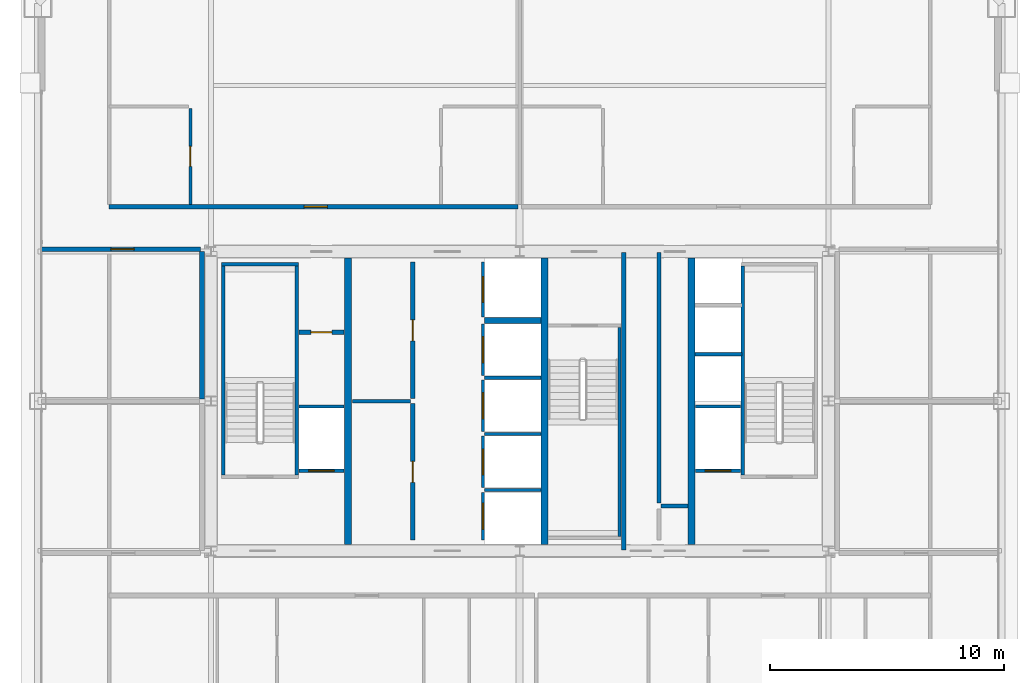
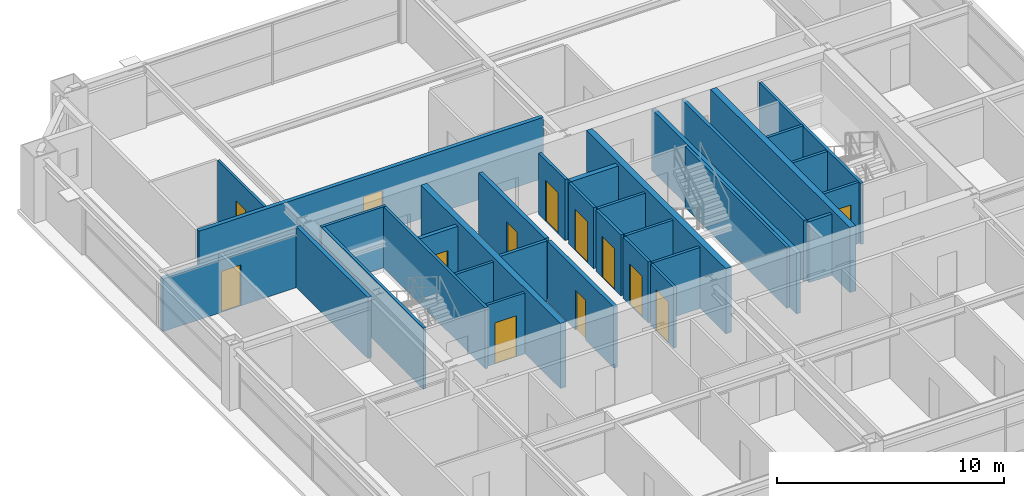
# One storey, part 33 of 36: 33 walls, 13 doors, 13 openings.
"""IFC4 building model written with IfcOpenShell, lengths in metres."""

from ifc_helpers import new_model, si_unit, direction, frame, frame_2d, origin, place, context, subcontext, project, spatial, rectangle, extrude, source, transform, mapped, material, layer, layer_set, type_object, element, fill, save


model = new_model("IFC4")

# Units and contexts
model_context = context("Model", 3, precision=1e-05, world=origin(), true_north=direction((0.0, 1.0)))
body_context = subcontext(model_context, "Body", "Model", "MODEL_VIEW")
ifc_project = project(units=[si_unit("LENGTHUNIT", "METRE"), si_unit("AREAUNIT", "SQUARE_METRE"), si_unit("VOLUMEUNIT", "CUBIC_METRE"), si_unit("PLANEANGLEUNIT", "RADIAN"), si_unit("MASSUNIT", "GRAM", prefix="KILO"), si_unit("THERMODYNAMICTEMPERATUREUNIT", "KELVIN"), si_unit("POWERUNIT", "WATT")], contexts=[model_context])

# Site, building, storey
site_placement = place(None, origin())
site = spatial("IfcSite", under=ifc_project, at=site_placement, CompositionType="ELEMENT")
building_placement = place(site_placement, origin())
building = spatial("IfcBuilding", under=site, at=building_placement, Name="Yuzanri Waterfront Tower", CompositionType="ELEMENT")
storey_placement = place(building_placement, frame((0.0, 0.0, 231.10009765625)))
storey = spatial("IfcBuildingStorey", under=building, at=storey_placement, Name="L61", CompositionType="ELEMENT", Elevation=231.10009765625)

# Wall, opening, door
ifc_material_1 = material(Name="Moisture-Resistant Gypsum Stud Wall", Category="gypsum")
ifc_layer_1 = layer(ifc_material_1, 0.1201171875)
ifc_layer_set_1 = layer_set([ifc_layer_1], Name="Moisture-Resistant Gypsum Stud Wall")
wall_type_1 = type_object("IfcWallType", Name="Bathroom and Kitchen Wet Partition 120", PredefinedType="PARTITIONING", material=ifc_layer_set_1)
wall_1_placement = place(storey_placement, frame((22.919921875, 34.2099609375, 0.0), z_axis=(0.0, 0.0, 1.0), x_axis=(0.0, 1.0, 0.0)))
wall_1 = element("IfcWall", 1, at=wall_1_placement, inside=storey, type_object=wall_type_1, Name="L61 Partition UW-L61-RN1-SUB-1-E", PredefinedType="PARTITIONING", context=body_context, shape_type="SweptSolid", body=[
    extrude(rectangle(XDim=4.110107421875, YDim=0.1201171875, at=frame_2d((2.05517578125, 0.0))), origin(), (0.0, 0.0, 1.0), 3.27978515625),
])
opening_1_placement = place(wall_1_placement, frame((1.6298828125, 0.0, 0.0)))
opening_1 = element("IfcOpeningElement", 2, at=opening_1_placement, cuts=wall_1, Name="Opening ID-0850", PredefinedType="OPENING", context=body_context, shape_type="SweptSolid", body=[
    extrude(rectangle(XDim=0.85009765625, YDim=2.10009765625, at=frame_2d((0.425048828125, 1.050048828125))), frame((0.0, 0.074951171875, 0.0), z_axis=(0.0, -1.0, 0.0), x_axis=(1.0, 0.0, 0.0)), (0.0, 0.0, 1.0), 0.14990234375),
])
ifc_material_2 = material(Name="Moisture-Resistant Lacquered Timber", Category="wood")
door_type_1 = type_object("IfcDoorType", Name="En-Suite Bathroom and Kitchen Swing Door 850x2100", OperationType="NOTDEFINED", PredefinedType="DOOR", material=ifc_material_2)
shared_shape_1 = source(origin(), body_context, "Body", "SweptSolid", [
    extrude(rectangle(XDim=0.85009765625, YDim=2.10009765625, at=frame_2d((0.425048828125, 1.050048828125))), frame((0.0, 0.02490234375, 0.0), z_axis=(0.0, -1.0, 0.0), x_axis=(1.0, 0.0, 0.0)), (0.0, 0.0, 1.0), 0.050048828125),
])
door_1_placement = place(opening_1_placement, origin())
door_1 = element("IfcDoor", 3, at=door_1_placement, inside=storey, type_object=door_type_1, Name="L61 Suite Interior Room Door", OperationType="SINGLE_SWING_LEFT", OverallHeight=2.10009765625, OverallWidth=0.85009765625, PredefinedType="DOOR", context=body_context, shape_type="MappedRepresentation", body=[
    mapped(shared_shape_1, transform((0.0, 0.0, 0.0), scale=1.0)),
])
fill(opening_1, door_1)

ifc_material_3 = material(Name="Concrete C40", Category="concrete")
ifc_layer_2 = layer(ifc_material_3, 0.139892578125)
ifc_layer_set_2 = layer_set([ifc_layer_2], Name="Concrete C40")
wall_type_2 = type_object("IfcWallType", Name="Core Stair Liner and Hoistway Shaft Wall 140", PredefinedType="SOLIDWALL", material=ifc_layer_set_2)
wall_2_placement = place(storey_placement, frame((27.56005859375, 22.830078125, 0.0), z_axis=(0.0, 0.0, 1.0), x_axis=(1.0, 0.0, 0.0)))
wall_2 = element("IfcWall", 4, at=wall_2_placement, inside=storey, type_object=wall_type_2, Name="L61 Lift FL-01 Front Shaft Wall", PredefinedType="SOLIDWALL", context=body_context, shape_type="SweptSolid", body=[
    extrude(rectangle(XDim=1.919921875, YDim=0.139892578125, at=frame_2d((0.9599609375, 0.0))), origin(), (0.0, 0.0, 1.0), 3.27978515625),
])
opening_2_placement = place(wall_2_placement, frame((0.409912109375, 0.0, 0.0)))
opening_2 = element("IfcOpeningElement", 5, at=opening_2_placement, cuts=wall_2, Name="Opening LD-FL-01", PredefinedType="OPENING", context=body_context, shape_type="SweptSolid", body=[
    extrude(rectangle(XDim=1.10009765625, YDim=2.199951171875, at=frame_2d((0.550048828125, 1.10009765625))), frame((0.0, 0.0849609375, 0.0), z_axis=(0.0, -1.0, 0.0), x_axis=(1.0, 0.0, 0.0)), (0.0, 0.0, 1.0), 0.169677734375),
])
ifc_material_4 = material(Name="Brushed Bronze and Stainless Steel Cab", Category="steel")
door_type_2 = type_object("IfcDoorType", Name="Center-Parting Bronze Lift Landing Sliding Door 1100x2200", OperationType="NOTDEFINED", PredefinedType="DOOR", material=ifc_material_4)
shared_shape_2 = source(origin(), body_context, "Body", "SweptSolid", [
    extrude(rectangle(XDim=1.10009765625, YDim=2.199951171875, at=frame_2d((0.550048828125, 1.10009765625))), frame((0.0, 0.02490234375, 0.0), z_axis=(0.0, -1.0, 0.0), x_axis=(1.0, 0.0, 0.0)), (0.0, 0.0, 1.0), 0.050048828125),
])
door_2_placement = place(opening_2_placement, origin())
door_2 = element("IfcDoor", 6, at=door_2_placement, inside=storey, type_object=door_type_2, Name="L61 FL-01 Lift Landing Sliding Door", OperationType="SLIDING_TO_LEFT", OverallHeight=2.199951171875, OverallWidth=1.10009765625, PredefinedType="DOOR", context=body_context, shape_type="MappedRepresentation", body=[
    mapped(shared_shape_2, transform((0.0, 0.0, 0.0), scale=1.0)),
])
fill(opening_2, door_2)

wall_3_placement = place(storey_placement, frame((44.52001953125, 22.830078125, 0.0), z_axis=(0.0, 0.0, 1.0), x_axis=(1.0, 0.0, 0.0)))
wall_3 = element("IfcWall", 7, at=wall_3_placement, inside=storey, type_object=wall_type_2, Name="L61 Lift FL-02 Front Shaft Wall", PredefinedType="SOLIDWALL", context=body_context, shape_type="SweptSolid", body=[
    extrude(rectangle(XDim=1.919921875, YDim=0.139892578125, at=frame_2d((0.9599609375, 0.0))), origin(), (0.0, 0.0, 1.0), 3.27978515625),
])
opening_3_placement = place(wall_3_placement, frame((0.409912109375, 0.0, 0.0)))
opening_3 = element("IfcOpeningElement", 8, at=opening_3_placement, cuts=wall_3, Name="Opening LD-FL-02", PredefinedType="OPENING", context=body_context, shape_type="SweptSolid", body=[
    extrude(rectangle(XDim=1.10009765625, YDim=2.199951171875, at=frame_2d((0.550048828125, 1.10009765625))), frame((0.0, 0.0849609375, 0.0), z_axis=(0.0, -1.0, 0.0), x_axis=(1.0, 0.0, 0.0)), (0.0, 0.0, 1.0), 0.169677734375),
])
door_3_placement = place(opening_3_placement, origin())
door_3 = element("IfcDoor", 9, at=door_3_placement, inside=storey, type_object=door_type_2, Name="L61 FL-02 Lift Landing Sliding Door", OperationType="SLIDING_TO_RIGHT", OverallHeight=2.199951171875, OverallWidth=1.10009765625, PredefinedType="DOOR", context=body_context, shape_type="MappedRepresentation", body=[
    mapped(shared_shape_2, transform((0.0, 0.0, 0.0), scale=1.0)),
])
fill(opening_3, door_3)

wall_4_placement = place(storey_placement, frame((35.429931640625, 19.860107421875, 0.0), z_axis=(0.0, 0.0, 1.0), x_axis=(0.0, 1.0, 0.0)))
wall_4 = element("IfcWall", 10, at=wall_4_placement, inside=storey, type_object=wall_type_2, Name="L61 Lift PL-05 Front Shaft Wall", PredefinedType="SOLIDWALL", context=body_context, shape_type="SweptSolid", body=[
    extrude(rectangle(XDim=2.039794921875, YDim=0.139892578125, at=frame_2d((1.02001953125, 0.0))), origin(), (0.0, 0.0, 1.0), 3.27978515625),
])
opening_4_placement = place(wall_4_placement, frame((0.469970703125, 0.0, 0.0)))
opening_4 = element("IfcOpeningElement", 11, at=opening_4_placement, cuts=wall_4, Name="Opening LD-PL-05", PredefinedType="OPENING", context=body_context, shape_type="SweptSolid", body=[
    extrude(rectangle(XDim=1.10009765625, YDim=2.199951171875, at=frame_2d((0.550048828125, 1.10009765625))), frame((0.0, 0.0849609375, 0.0), z_axis=(0.0, -1.0, 0.0), x_axis=(1.0, 0.0, 0.0)), (0.0, 0.0, 1.0), 0.169677734375),
])
door_4_placement = place(opening_4_placement, origin())
door_4 = element("IfcDoor", 12, at=door_4_placement, inside=storey, type_object=door_type_2, Name="L61 PL-05 Lift Landing Sliding Door", OperationType="SLIDING_TO_RIGHT", OverallHeight=2.199951171875, OverallWidth=1.10009765625, PredefinedType="DOOR", context=body_context, shape_type="MappedRepresentation", body=[
    mapped(shared_shape_2, transform((0.0, 0.0, 0.0), scale=1.0)),
])
fill(opening_4, door_4)

wall_5_placement = place(storey_placement, frame((35.429931640625, 22.10009765625, 0.0), z_axis=(0.0, 0.0, 1.0), x_axis=(0.0, 1.0, 0.0)))
wall_5 = element("IfcWall", 13, at=wall_5_placement, inside=storey, type_object=wall_type_2, Name="L61 Lift PL-06 Front Shaft Wall", PredefinedType="SOLIDWALL", context=body_context, shape_type="SweptSolid", body=[
    extrude(rectangle(XDim=2.199951171875, YDim=0.139892578125, at=frame_2d((1.10009765625, 0.0))), origin(), (0.0, 0.0, 1.0), 3.27978515625),
])
opening_5_placement = place(wall_5_placement, frame((0.550048828125, 0.0, 0.0)))
opening_5 = element("IfcOpeningElement", 14, at=opening_5_placement, cuts=wall_5, Name="Opening LD-PL-06", PredefinedType="OPENING", context=body_context, shape_type="SweptSolid", body=[
    extrude(rectangle(XDim=1.10009765625, YDim=2.199951171875, at=frame_2d((0.550048828125, 1.10009765625))), frame((0.0, 0.0849609375, 0.0), z_axis=(0.0, -1.0, 0.0), x_axis=(1.0, 0.0, 0.0)), (0.0, 0.0, 1.0), 0.169677734375),
])
door_5_placement = place(opening_5_placement, origin())
door_5 = element("IfcDoor", 15, at=door_5_placement, inside=storey, type_object=door_type_2, Name="L61 PL-06 Lift Landing Sliding Door", OperationType="SLIDING_TO_LEFT", OverallHeight=2.199951171875, OverallWidth=1.10009765625, PredefinedType="DOOR", context=body_context, shape_type="MappedRepresentation", body=[
    mapped(shared_shape_2, transform((0.0, 0.0, 0.0), scale=1.0)),
])
fill(opening_5, door_5)

wall_6_placement = place(storey_placement, frame((35.429931640625, 24.5, 0.0), z_axis=(0.0, 0.0, 1.0), x_axis=(0.0, 1.0, 0.0)))
wall_6 = element("IfcWall", 16, at=wall_6_placement, inside=storey, type_object=wall_type_2, Name="L61 Lift PL-07 Front Shaft Wall", PredefinedType="SOLIDWALL", context=body_context, shape_type="SweptSolid", body=[
    extrude(rectangle(XDim=2.199951171875, YDim=0.139892578125, at=frame_2d((1.10009765625, 0.0))), origin(), (0.0, 0.0, 1.0), 3.27978515625),
])
opening_6_placement = place(wall_6_placement, frame((0.550048828125, 0.0, 0.0)))
opening_6 = element("IfcOpeningElement", 17, at=opening_6_placement, cuts=wall_6, Name="Opening LD-PL-07", PredefinedType="OPENING", context=body_context, shape_type="SweptSolid", body=[
    extrude(rectangle(XDim=1.10009765625, YDim=2.199951171875, at=frame_2d((0.550048828125, 1.10009765625))), frame((0.0, 0.0849609375, 0.0), z_axis=(0.0, -1.0, 0.0), x_axis=(1.0, 0.0, 0.0)), (0.0, 0.0, 1.0), 0.169677734375),
])
door_6_placement = place(opening_6_placement, origin())
door_6 = element("IfcDoor", 18, at=door_6_placement, inside=storey, type_object=door_type_2, Name="L61 PL-07 Lift Landing Sliding Door", OperationType="SLIDING_TO_RIGHT", OverallHeight=2.199951171875, OverallWidth=1.10009765625, PredefinedType="DOOR", context=body_context, shape_type="MappedRepresentation", body=[
    mapped(shared_shape_2, transform((0.0, 0.0, 0.0), scale=1.0)),
])
fill(opening_6, door_6)

wall_7_placement = place(storey_placement, frame((35.429931640625, 26.89990234375, 0.0), z_axis=(0.0, 0.0, 1.0), x_axis=(0.0, 1.0, 0.0)))
wall_7 = element("IfcWall", 19, at=wall_7_placement, inside=storey, type_object=wall_type_2, Name="L61 Lift PL-08 Front Shaft Wall", PredefinedType="SOLIDWALL", context=body_context, shape_type="SweptSolid", body=[
    extrude(rectangle(XDim=2.2001953125, YDim=0.139892578125, at=frame_2d((1.10009765625, 0.0))), origin(), (0.0, 0.0, 1.0), 3.27978515625),
])
opening_7_placement = place(wall_7_placement, frame((0.550048828125, 0.0, 0.0)))
opening_7 = element("IfcOpeningElement", 20, at=opening_7_placement, cuts=wall_7, Name="Opening LD-PL-08", PredefinedType="OPENING", context=body_context, shape_type="SweptSolid", body=[
    extrude(rectangle(XDim=1.10009765625, YDim=2.199951171875, at=frame_2d((0.550048828125, 1.10009765625))), frame((0.0, 0.0849609375, 0.0), z_axis=(0.0, -1.0, 0.0), x_axis=(1.0, 0.0, 0.0)), (0.0, 0.0, 1.0), 0.169677734375),
])
door_7_placement = place(opening_7_placement, origin())
door_7 = element("IfcDoor", 21, at=door_7_placement, inside=storey, type_object=door_type_2, Name="L61 PL-08 Lift Landing Sliding Door", OperationType="SLIDING_TO_LEFT", OverallHeight=2.199951171875, OverallWidth=1.10009765625, PredefinedType="DOOR", context=body_context, shape_type="MappedRepresentation", body=[
    mapped(shared_shape_2, transform((0.0, 0.0, 0.0), scale=1.0)),
])
fill(opening_7, door_7)

wall_8_placement = place(storey_placement, frame((35.429931640625, 29.39990234375, 0.0), z_axis=(0.0, 0.0, 1.0), x_axis=(0.0, 1.0, 0.0)))
wall_8 = element("IfcWall", 22, at=wall_8_placement, inside=storey, type_object=wall_type_2, Name="L61 Lift SL-02 Front Shaft Wall", PredefinedType="SOLIDWALL", context=body_context, shape_type="SweptSolid", body=[
    extrude(rectangle(XDim=2.340087890625, YDim=0.139892578125, at=frame_2d((1.169921875, 0.0))), origin(), (0.0, 0.0, 1.0), 3.27978515625),
])
opening_8_placement = place(wall_8_placement, frame((0.6201171875, 0.0, 0.0)))
opening_8 = element("IfcOpeningElement", 23, at=opening_8_placement, cuts=wall_8, Name="Opening LD-SL-02", PredefinedType="OPENING", context=body_context, shape_type="SweptSolid", body=[
    extrude(rectangle(XDim=1.10009765625, YDim=2.199951171875, at=frame_2d((0.550048828125, 1.10009765625))), frame((0.0, 0.0849609375, 0.0), z_axis=(0.0, -1.0, 0.0), x_axis=(1.0, 0.0, 0.0)), (0.0, 0.0, 1.0), 0.169677734375),
])
door_8_placement = place(opening_8_placement, origin())
door_8 = element("IfcDoor", 24, at=door_8_placement, inside=storey, type_object=door_type_2, Name="L61 SL-02 Lift Landing Sliding Door", OperationType="SLIDING_TO_RIGHT", OverallHeight=2.199951171875, OverallWidth=1.10009765625, PredefinedType="DOOR", context=body_context, shape_type="MappedRepresentation", body=[
    mapped(shared_shape_2, transform((0.0, 0.0, 0.0), scale=1.0)),
])
fill(opening_8, door_8)

ifc_material_5 = material(Name="Autoclaved Aerated Concrete Blockwork", Category="masonry")
ifc_layer_3 = layer(ifc_material_5, 0.199951171875)
ifc_layer_set_3 = layer_set([ifc_layer_3], Name="Autoclaved Aerated Concrete Blockwork")
wall_type_3 = type_object("IfcWallType", Name="Corridor and Unit Party Fire Wall 200", PredefinedType="PARTITIONING", material=ifc_layer_set_3)
wall_9_placement = place(storey_placement, frame((27.56005859375, 28.75, 0.0), z_axis=(0.0, 0.0, 1.0), x_axis=(1.0, 0.0, 0.0)))
wall_9 = element("IfcWall", 25, at=wall_9_placement, inside=storey, type_object=wall_type_3, Name="L61 Partition CRW-L61-ERTR", PredefinedType="PARTITIONING", context=body_context, shape_type="SweptSolid", body=[
    extrude(rectangle(XDim=1.919921875, YDim=0.199951171875, at=frame_2d((0.9599609375, 0.0))), origin(), (0.0, 0.0, 1.0), 3.27978515625),
])
opening_9_placement = place(wall_9_placement, frame((0.510009765625, 0.0, 0.0)))
opening_9 = element("IfcOpeningElement", 26, at=opening_9_placement, cuts=wall_9, Name="Opening FD-0900", PredefinedType="OPENING", context=body_context, shape_type="SweptSolid", body=[
    extrude(rectangle(XDim=0.89990234375, YDim=2.14990234375, at=frame_2d((0.449951171875, 1.074951171875))), frame((0.0, 0.11474609375, 0.0), z_axis=(0.0, -1.0, 0.0), x_axis=(1.0, 0.0, 0.0)), (0.0, 0.0, 1.0), 0.229736328125),
])
ifc_material_6 = material(Name="Painted Galvanized Fire Steel", Category="steel")
door_type_3 = type_object("IfcDoorType", Name="Riser and Service Room Fire Door 900x2150", OperationType="NOTDEFINED", PredefinedType="DOOR", material=ifc_material_6)
shared_shape_3 = source(origin(), body_context, "Body", "SweptSolid", [
    extrude(rectangle(XDim=0.89990234375, YDim=2.14990234375, at=frame_2d((0.449951171875, 1.074951171875))), frame((0.0, 0.02490234375, 0.0), z_axis=(0.0, -1.0, 0.0), x_axis=(1.0, 0.0, 0.0)), (0.0, 0.0, 1.0), 0.050048828125),
])
door_9_placement = place(opening_9_placement, origin())
door_9 = element("IfcDoor", 27, at=door_9_placement, inside=storey, type_object=door_type_3, Name="L61 Electrical Riser Door", OperationType="SINGLE_SWING_RIGHT", OverallHeight=2.14990234375, OverallWidth=0.89990234375, PredefinedType="DOOR", context=body_context, shape_type="MappedRepresentation", body=[
    mapped(shared_shape_3, transform((0.0, 0.0, 0.0), scale=1.0)),
])
fill(opening_9, door_9)

wall_10_placement = place(storey_placement, frame((32.419921875, 19.860107421875, 0.0), z_axis=(0.0, 0.0, 1.0), x_axis=(0.0, 1.0, 0.0)))
wall_10 = element("IfcWall", 28, at=wall_10_placement, inside=storey, type_object=wall_type_3, Name="L61 Partition CRW-L61-B1R-1", PredefinedType="PARTITIONING", context=body_context, shape_type="SweptSolid", body=[
    extrude(rectangle(XDim=5.83984375, YDim=0.199951171875, at=frame_2d((2.919921875, 0.0))), origin(), (0.0, 0.0, 1.0), 3.27978515625),
])
opening_10_placement = place(wall_10_placement, frame((2.469970703125, 0.0, 0.0)))
opening_10 = element("IfcOpeningElement", 29, at=opening_10_placement, cuts=wall_10, Name="Opening FD-0900", PredefinedType="OPENING", context=body_context, shape_type="SweptSolid", body=[
    extrude(rectangle(XDim=0.89990234375, YDim=2.14990234375, at=frame_2d((0.449951171875, 1.074951171875))), frame((0.0, 0.11474609375, 0.0), z_axis=(0.0, -1.0, 0.0), x_axis=(1.0, 0.0, 0.0)), (0.0, 0.0, 1.0), 0.229736328125),
])
door_10_placement = place(opening_10_placement, origin())
door_10 = element("IfcDoor", 30, at=door_10_placement, inside=storey, type_object=door_type_3, Name="L61 South Private Store Room", OperationType="SINGLE_SWING_LEFT", OverallHeight=2.14990234375, OverallWidth=0.89990234375, PredefinedType="DOOR", context=body_context, shape_type="MappedRepresentation", body=[
    mapped(shared_shape_3, transform((0.0, 0.0, 0.0), scale=1.0)),
])
fill(opening_10, door_10)

wall_11_placement = place(storey_placement, frame((32.419921875, 25.919921875, 0.0), z_axis=(0.0, 0.0, 1.0), x_axis=(0.0, 1.0, 0.0)))
wall_11 = element("IfcWall", 31, at=wall_11_placement, inside=storey, type_object=wall_type_3, Name="L61 Partition CRW-L61-B1R-2", PredefinedType="PARTITIONING", context=body_context, shape_type="SweptSolid", body=[
    extrude(rectangle(XDim=5.820068359375, YDim=0.199951171875, at=frame_2d((2.91015625, 0.0))), origin(), (0.0, 0.0, 1.0), 3.27978515625),
])
opening_11_placement = place(wall_11_placement, frame((2.4599609375, 0.0, 0.0)))
opening_11 = element("IfcOpeningElement", 32, at=opening_11_placement, cuts=wall_11, Name="Opening FD-0900", PredefinedType="OPENING", context=body_context, shape_type="SweptSolid", body=[
    extrude(rectangle(XDim=0.89990234375, YDim=2.14990234375, at=frame_2d((0.449951171875, 1.074951171875))), frame((0.0, 0.11474609375, 0.0), z_axis=(0.0, -1.0, 0.0), x_axis=(1.0, 0.0, 0.0)), (0.0, 0.0, 1.0), 0.229736328125),
])
door_11_placement = place(opening_11_placement, origin())
door_11 = element("IfcDoor", 33, at=door_11_placement, inside=storey, type_object=door_type_3, Name="L61 North Private Store Room", OperationType="SINGLE_SWING_RIGHT", OverallHeight=2.14990234375, OverallWidth=0.89990234375, PredefinedType="DOOR", context=body_context, shape_type="MappedRepresentation", body=[
    mapped(shared_shape_3, transform((0.0, 0.0, 0.0), scale=1.0)),
])
fill(opening_11, door_11)

wall_12_placement = place(storey_placement, frame((19.43994140625, 34.110107421875, 0.0), z_axis=(0.0, 0.0, 1.0), x_axis=(1.0, 0.0, 0.0)))
wall_12 = element("IfcWall", 34, at=wall_12_placement, inside=storey, type_object=wall_type_3, Name="L61 Partition UW-L61-RN1-CS", PredefinedType="PARTITIONING", context=body_context, shape_type="SweptSolid", body=[
    extrude(rectangle(XDim=17.47998046875, YDim=0.199951171875, at=frame_2d((8.739990234375, 0.0))), origin(), (0.0, 0.0, 1.0), 3.27978515625),
])
opening_12_placement = place(wall_12_placement, frame((8.340087890625, 0.0, 0.0)))
opening_12 = element("IfcOpeningElement", 35, at=opening_12_placement, cuts=wall_12, Name="Opening FD-1000", PredefinedType="OPENING", context=body_context, shape_type="SweptSolid", body=[
    extrude(rectangle(XDim=1.0, YDim=2.199951171875, at=frame_2d((0.5, 1.10009765625))), frame((0.0, 0.11474609375, 0.0), z_axis=(0.0, -1.0, 0.0), x_axis=(1.0, 0.0, 0.0)), (0.0, 0.0, 1.0), 0.229736328125),
])
ifc_material_7 = material(Name="Engineered Oak Fire-Rated Timber", Category="wood")
door_type_4 = type_object("IfcDoorType", Name="Guestroom and Apartment Entrance Fire Door 1000x2200", OperationType="NOTDEFINED", PredefinedType="DOOR", material=ifc_material_7)
shared_shape_4 = source(origin(), body_context, "Body", "SweptSolid", [
    extrude(rectangle(XDim=1.0, YDim=2.199951171875, at=frame_2d((0.5, 1.10009765625))), frame((0.0, 0.02490234375, 0.0), z_axis=(0.0, -1.0, 0.0), x_axis=(1.0, 0.0, 0.0)), (0.0, 0.0, 1.0), 0.050048828125),
])
door_12_placement = place(opening_12_placement, origin())
door_12 = element("IfcDoor", 36, at=door_12_placement, inside=storey, type_object=door_type_4, Name="L61 Studio Living and Sleeping Room Entrance Door", OperationType="SINGLE_SWING_RIGHT", OverallHeight=2.199951171875, OverallWidth=1.0, PredefinedType="DOOR", context=body_context, shape_type="MappedRepresentation", body=[
    mapped(shared_shape_4, transform((0.0, 0.0, 0.0), scale=1.0)),
])
fill(opening_12, door_12)

wall_13_placement = place(storey_placement, frame((16.550048828125, 32.2900390625, 0.0), z_axis=(0.0, 0.0, 1.0), x_axis=(1.0, 0.0, 0.0)))
wall_13 = element("IfcWall", 37, at=wall_13_placement, inside=storey, type_object=wall_type_3, Name="L61 Partition UW-L61-040-CN", PredefinedType="PARTITIONING", context=body_context, shape_type="SweptSolid", body=[
    extrude(rectangle(XDim=6.800048828125, YDim=0.199951171875, at=frame_2d((3.39990234375, 0.0))), origin(), (0.0, 0.0, 1.0), 2.824951171875),
])
opening_13_placement = place(wall_13_placement, frame((2.965087890625, 0.0, 0.0)))
opening_13 = element("IfcOpeningElement", 38, at=opening_13_placement, cuts=wall_13, Name="Opening FD-1000", PredefinedType="OPENING", context=body_context, shape_type="SweptSolid", body=[
    extrude(rectangle(XDim=1.0, YDim=2.199951171875, at=frame_2d((0.5, 1.10009765625))), frame((0.0, 0.11474609375, 0.0), z_axis=(0.0, -1.0, 0.0), x_axis=(1.0, 0.0, 0.0)), (0.0, 0.0, 1.0), 0.229736328125),
])
door_13_placement = place(opening_13_placement, origin())
door_13 = element("IfcDoor", 39, at=door_13_placement, inside=storey, type_object=door_type_4, Name="L61 Residents W Seminar Meeting Room Entrance Door", OperationType="SINGLE_SWING_LEFT", OverallHeight=2.199951171875, OverallWidth=1.0, PredefinedType="DOOR", context=body_context, shape_type="MappedRepresentation", body=[
    mapped(shared_shape_4, transform((0.0, 0.0, 0.0), scale=1.0)),
])
fill(opening_13, door_13)

# Walls
ifc_material_8 = material(Name="Concrete C50", Category="concrete")
ifc_layer_4 = layer(ifc_material_8, 0.300048828125)
ifc_layer_set_4 = layer_set([ifc_layer_4], Name="Concrete C50")
wall_type_4 = type_object("IfcWallType", Name="Concrete C50 Internal Core Shaft Structural Wall 300", PredefinedType="SOLIDWALL", material=ifc_layer_set_4)
shared_shape_5 = source(origin(), body_context, "Body", "SweptSolid", [
    extrude(rectangle(XDim=12.25, YDim=0.300048828125, at=frame_2d((6.125, 0.0))), origin(), (0.0, 0.0, 1.0), 3.5),
])
for number, where, z_axis, x_axis, name in (
    (40, (29.64990234375, 19.675048828125, 0.0), (0.0, 0.0, 1.0), (0.0, 1.0, 0.0), "L61 Core Internal Structural Web Wall 1"),
    (41, (38.050048828125, 19.675048828125, 0.0), (0.0, 0.0, 1.0), (0.0, 1.0, 0.0), "L61 Core Internal Structural Web Wall 2"),
    (42, (44.35009765625, 19.675048828125, 0.0), (0.0, 0.0, 1.0), (0.0, 1.0, 0.0), "L61 Core Internal Structural Web Wall 3"),
):
    element("IfcWall", number, at=place(storey_placement, frame(where, z_axis=z_axis, x_axis=x_axis)), inside=storey, type_object=wall_type_4, Name=name, PredefinedType="SOLIDWALL", context=body_context, shape_type="MappedRepresentation", body=[
        mapped(shared_shape_5, transform((0.0, 0.0, 0.0), scale=1.0)),
    ])
shared_shape_6 = source(origin(), body_context, "Body", "SweptSolid", [
    extrude(rectangle(XDim=1.919921875, YDim=0.139892578125, at=frame_2d((0.9599609375, 0.0))), origin(), (0.0, 0.0, 1.0), 3.27978515625),
])
for number, where, z_axis, x_axis, name in (
    (43, (27.56005859375, 25.570068359375, 0.0), (0.0, 0.0, 1.0), (1.0, 0.0, 0.0), "L61 Lift FL-01 Back Shaft Wall"),
    (44, (44.52001953125, 25.570068359375, 0.0), (0.0, 0.0, 1.0), (1.0, 0.0, 0.0), "L61 Lift FL-02 Back Shaft Wall"),
):
    element("IfcWall", number, at=place(storey_placement, frame(where, z_axis=z_axis, x_axis=x_axis)), inside=storey, type_object=wall_type_2, Name=name, PredefinedType="SOLIDWALL", context=body_context, shape_type="MappedRepresentation", body=[
        mapped(shared_shape_6, transform((0.0, 0.0, 0.0), scale=1.0)),
    ])
shared_shape_7 = source(origin(), body_context, "Body", "SweptSolid", [
    extrude(rectangle(XDim=2.39990234375, YDim=0.139892578125, at=frame_2d((1.199951171875, 0.0))), origin(), (0.0, 0.0, 1.0), 3.27978515625),
])
for number, where, z_axis, x_axis, name in (
    (45, (35.5, 22.0, 0.0), (0.0, 0.0, 1.0), (1.0, 0.0, 0.0), "L61 Lift PL-05 Divider Wall"),
    (46, (35.5, 24.39990234375, 0.0), (0.0, 0.0, 1.0), (1.0, 0.0, 0.0), "L61 Lift PL-06 Divider Wall"),
    (47, (35.5, 26.800048828125, 0.0), (0.0, 0.0, 1.0), (1.0, 0.0, 0.0), "L61 Lift PL-07 Divider Wall"),
):
    element("IfcWall", number, at=place(storey_placement, frame(where, z_axis=z_axis, x_axis=x_axis)), inside=storey, type_object=wall_type_2, Name=name, PredefinedType="SOLIDWALL", context=body_context, shape_type="MappedRepresentation", body=[
        mapped(shared_shape_7, transform((0.0, 0.0, 0.0), scale=1.0)),
    ])
ifc_material_9 = material(Name="Concrete C40", Category="concrete")
ifc_layer_5 = layer(ifc_material_9, 0.25)
ifc_layer_set_5 = layer_set([ifc_layer_5], Name="Concrete C40")
wall_type_5 = type_object("IfcWallType", Name="Smoke-Proof Stair and Lift Shaft Wall 250", PredefinedType="SOLIDWALL", material=ifc_layer_set_5)
shared_shape_8 = source(origin(), body_context, "Body", "SweptSolid", [
    extrude(rectangle(XDim=2.39990234375, YDim=0.25, at=frame_2d((1.199951171875, 0.0))), origin(), (0.0, 0.0, 1.0), 3.27978515625),
])
wall_14_placement = place(storey_placement, frame((35.5, 29.25, 0.0), z_axis=(0.0, 0.0, 1.0), x_axis=(1.0, 0.0, 0.0)))
element("IfcWall", 48, at=wall_14_placement, inside=storey, type_object=wall_type_5, Name="L61 Lift SL-02 South Shaft Wall", PredefinedType="SOLIDWALL", context=body_context, shape_type="MappedRepresentation", body=[
    mapped(shared_shape_8, transform((0.0, 0.0, 0.0), scale=1.0)),
])
shared_shape_9 = source(origin(), body_context, "Body", "SweptSolid", [
    extrude(rectangle(XDim=2.0, YDim=0.139892578125, at=frame_2d((1.0, 0.0))), origin(), (0.0, 0.0, 1.0), 3.27978515625),
])
wall_15_placement = place(storey_placement, frame((44.5, 27.800048828125, 0.0), z_axis=(0.0, 0.0, 1.0), x_axis=(1.0, 0.0, 0.0)))
element("IfcWall", 49, at=wall_15_placement, inside=storey, type_object=wall_type_2, Name="L61 Lift PL-09 Divider Wall", PredefinedType="SOLIDWALL", context=body_context, shape_type="MappedRepresentation", body=[
    mapped(shared_shape_9, transform((0.0, 0.0, 0.0), scale=1.0)),
])
shared_shape_10 = source(origin(), body_context, "Body", "SweptSolid", [
    extrude(rectangle(XDim=3.280029296875, YDim=0.139892578125, at=frame_2d((1.64013671875, 0.0))), origin(), (0.0, 0.0, 1.0), 3.27978515625),
])
wall_16_placement = place(storey_placement, frame((24.260009765625, 31.64990234375, 0.0), z_axis=(0.0, 0.0, 1.0), x_axis=(1.0, 0.0, 0.0)))
element("IfcWall", 50, at=wall_16_placement, inside=storey, type_object=wall_type_2, Name="L61 Stair ST-01 North Shaft Wall", PredefinedType="SOLIDWALL", context=body_context, shape_type="MappedRepresentation", body=[
    mapped(shared_shape_10, transform((0.0, 0.0, 0.0), scale=1.0)),
])
shared_shape_11 = source(origin(), body_context, "Body", "SweptSolid", [
    extrude(rectangle(XDim=8.940185546875, YDim=0.139892578125, at=frame_2d((4.47021484375, 0.0))), origin(), (0.0, 0.0, 1.0), 3.27978515625),
])
for number, where, z_axis, x_axis, name in (
    (51, (24.330078125, 22.639892578125, 0.0), (0.0, 0.0, 1.0), (0.0, 1.0, 0.0), "L61 Stair ST-01 West Shaft Wall"),
    (52, (27.469970703125, 22.639892578125, 0.0), (0.0, 0.0, 1.0), (0.0, 1.0, 0.0), "L61 Stair ST-01 East Shaft Wall"),
    (53, (46.530029296875, 22.639892578125, 0.0), (0.0, 0.0, 1.0), (0.0, 1.0, 0.0), "L61 Stair ST-02 West Shaft Wall"),
):
    element("IfcWall", number, at=place(storey_placement, frame(where, z_axis=z_axis, x_axis=x_axis)), inside=storey, type_object=wall_type_2, Name=name, PredefinedType="SOLIDWALL", context=body_context, shape_type="MappedRepresentation", body=[
        mapped(shared_shape_11, transform((0.0, 0.0, 0.0), scale=1.0)),
    ])
shared_shape_12 = source(origin(), body_context, "Body", "SweptSolid", [
    extrude(rectangle(XDim=8.93994140625, YDim=0.139892578125, at=frame_2d((4.469970703125, 0.0))), origin(), (0.0, 0.0, 1.0), 3.27978515625),
])
wall_17_placement = place(storey_placement, frame((41.27001953125, 20.02001953125, 0.0), z_axis=(0.0, 0.0, 1.0), x_axis=(0.0, 1.0, 0.0)))
element("IfcWall", 54, at=wall_17_placement, inside=storey, type_object=wall_type_2, Name="L61 Stair ST-03 East Shaft Wall", PredefinedType="SOLIDWALL", context=body_context, shape_type="MappedRepresentation", body=[
    mapped(shared_shape_12, transform((0.0, 0.0, 0.0), scale=1.0)),
])
ifc_material_10 = material(Name="Gypsum Fireboard Acoustic Stud Wall", Category="gypsum")
ifc_layer_6 = layer(ifc_material_10, 0.159912109375)
ifc_layer_set_6 = layer_set([ifc_layer_6], Name="Gypsum Fireboard Acoustic Stud Wall")
wall_type_6 = type_object("IfcWallType", Name="Acoustic Suite Demising Partition 160", PredefinedType="PARTITIONING", material=ifc_layer_set_6)
shared_shape_13 = source(origin(), body_context, "Body", "SweptSolid", [
    extrude(rectangle(XDim=2.469970703125, YDim=0.159912109375, at=frame_2d((1.23486328125, 0.0))), origin(), (0.0, 0.0, 1.0), 3.27978515625),
])
wall_18_placement = place(storey_placement, frame((29.85009765625, 25.800048828125, 0.0), z_axis=(0.0, 0.0, 1.0), x_axis=(1.0, 0.0, 0.0)))
element("IfcWall", 55, at=wall_18_placement, inside=storey, type_object=wall_type_6, Name="L61 Reclaimed Core Divider 2", PredefinedType="PARTITIONING", context=body_context, shape_type="MappedRepresentation", body=[
    mapped(shared_shape_13, transform((0.0, 0.0, 0.0), scale=1.0)),
])
shared_shape_14 = source(origin(), body_context, "Body", "SweptSolid", [
    extrude(rectangle(XDim=1.169921875, YDim=0.159912109375, at=frame_2d((0.5849609375, 0.0))), origin(), (0.0, 0.0, 1.0), 3.27978515625),
])
wall_19_placement = place(storey_placement, frame((43.030029296875, 21.320068359375, 0.0), z_axis=(0.0, 0.0, 1.0), x_axis=(1.0, 0.0, 0.0)))
element("IfcWall", 56, at=wall_19_placement, inside=storey, type_object=wall_type_6, Name="L61 East Wet Riser North Wall", PredefinedType="PARTITIONING", context=body_context, shape_type="MappedRepresentation", body=[
    mapped(shared_shape_14, transform((0.0, 0.0, 0.0), scale=1.0)),
])
shared_shape_15 = source(origin(), body_context, "Body", "SweptSolid", [
    extrude(rectangle(XDim=12.719970703125, YDim=0.199951171875, at=frame_2d((6.35986328125, 0.0))), origin(), (0.0, 0.0, 1.0), 3.27978515625),
])
wall_20_placement = place(storey_placement, frame((41.449951171875, 19.43994140625, 0.0), z_axis=(0.0, 0.0, 1.0), x_axis=(0.0, 1.0, 0.0)))
element("IfcWall", 57, at=wall_20_placement, inside=storey, type_object=wall_type_3, Name="L61 Core BOH West Wall 1", PredefinedType="PARTITIONING", context=body_context, shape_type="MappedRepresentation", body=[
    mapped(shared_shape_15, transform((0.0, 0.0, 0.0), scale=1.0)),
])
shared_shape_16 = source(origin(), body_context, "Body", "SweptSolid", [
    extrude(rectangle(XDim=10.719970703125, YDim=0.159912109375, at=frame_2d((5.35986328125, 0.0))), origin(), (0.0, 0.0, 1.0), 3.27978515625),
])
wall_21_placement = place(storey_placement, frame((42.949951171875, 21.43994140625, 0.0), z_axis=(0.0, 0.0, 1.0), x_axis=(0.0, 1.0, 0.0)))
element("IfcWall", 58, at=wall_21_placement, inside=storey, type_object=wall_type_6, Name="L61 Core BOH Mid Wall 2", PredefinedType="PARTITIONING", context=body_context, shape_type="MappedRepresentation", body=[
    mapped(shared_shape_16, transform((0.0, 0.0, 0.0), scale=1.0)),
])
shared_shape_17 = source(origin(), body_context, "Body", "SweptSolid", [
    extrude(rectangle(XDim=6.2900390625, YDim=0.199951171875, at=frame_2d((3.14501953125, 0.0))), origin(), (0.0, 0.0, 1.0), 3.27978515625),
])
wall_22_placement = place(storey_placement, frame((23.419921875, 25.89990234375, 0.0), z_axis=(0.0, 0.0, 1.0), x_axis=(0.0, 1.0, 0.0)))
element("IfcWall", 59, at=wall_22_placement, inside=storey, type_object=wall_type_3, Name="L61-040 Wing Inner Core-Side Wall", PredefinedType="PARTITIONING", context=body_context, shape_type="MappedRepresentation", body=[
    mapped(shared_shape_17, transform((0.0, 0.0, 0.0), scale=1.0)),
])

save(model, "model.ifc")
